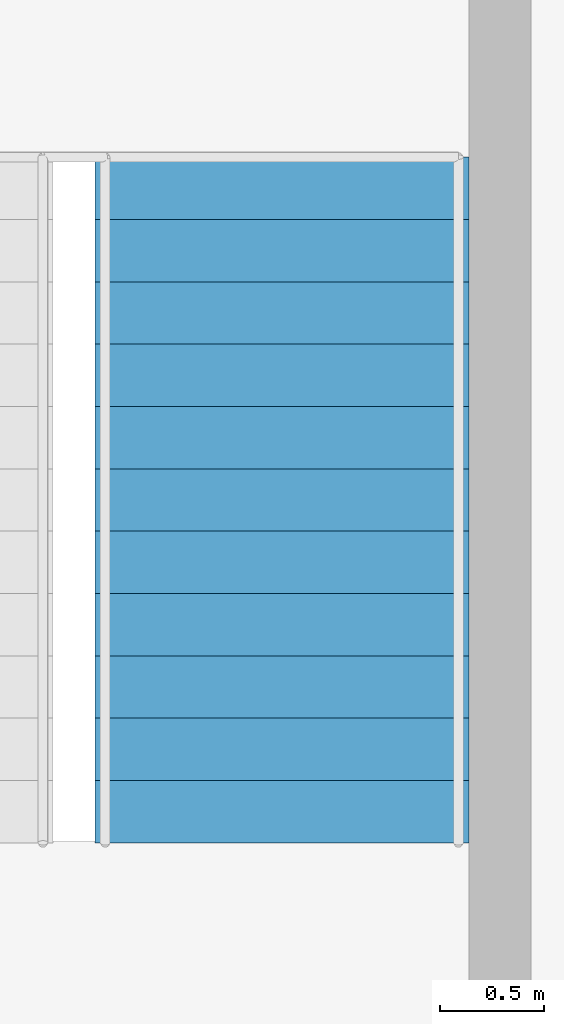
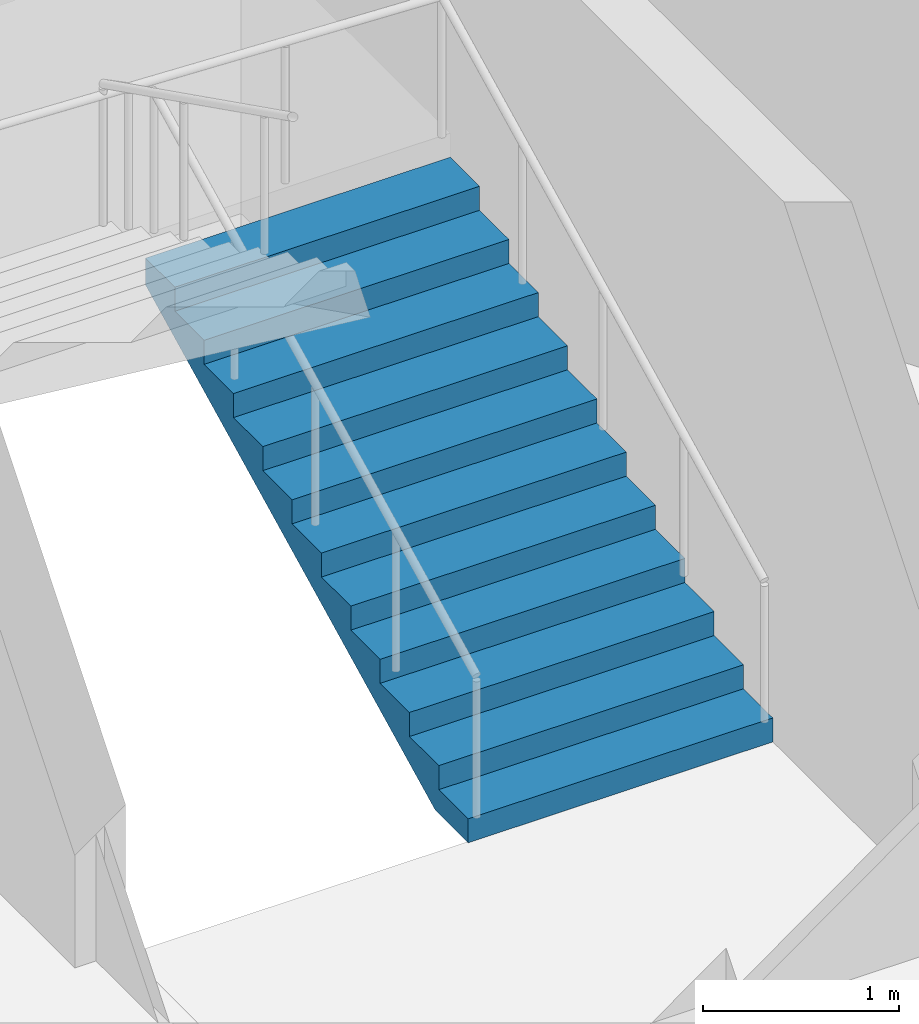
# One storey, part 14 of 20: 1 stair flight, 1 element without a shape of its own.
"""IFC4 building model written with IfcOpenShell, lengths in metres."""

from ifc_helpers import new_model, si_unit, direction, frame, origin, place, context, subcontext, project, spatial, polyline, outline, extrude, source, transform, mapped, material, type_object, element, aggregate, save


model = new_model("IFC4")

# Units and contexts
model_context = context("Model", 3, precision=1e-05, world=origin(), true_north=direction((0.0, 1.0)))
body_context = subcontext(model_context, "Body", "Model", "MODEL_VIEW")
ifc_project = project(units=[si_unit("LENGTHUNIT", "METRE"), si_unit("AREAUNIT", "SQUARE_METRE"), si_unit("VOLUMEUNIT", "CUBIC_METRE"), si_unit("PLANEANGLEUNIT", "RADIAN"), si_unit("MASSUNIT", "GRAM", prefix="KILO")], contexts=[model_context])

# Site, building, storey
site_placement = place(None, origin())
site = spatial("IfcSite", under=ifc_project, at=site_placement, CompositionType="ELEMENT")
building_placement = place(site_placement, origin())
building = spatial("IfcBuilding", under=site, at=building_placement, Name="Triune Harvest Tower", CompositionType="ELEMENT")
storey_placement = place(building_placement, frame((0.0, 0.0, 234.10009765625)))
storey = spatial("IfcBuildingStorey", under=building, at=storey_placement, Name="L61", CompositionType="ELEMENT", Elevation=234.10009765625)

# Stair, stair flight
ifc_material_1 = material(Name="Concrete 40 MPa", Category="concrete")
stair_type = type_object("IfcStairType", Name="Exit stair 1800 half turn", PredefinedType="HALF_TURN_STAIR", material=ifc_material_1)
stair_placement = place(storey_placement, origin())
stair = element("IfcStair", 1, at=stair_placement, inside=storey, type_object=stair_type, Name="Exit stair east", PredefinedType="HALF_TURN_STAIR")
ifc_material_2 = material(Name="Concrete 40 MPa", Category="concrete")
stair_flight_type = type_object("IfcStairFlightType", Name="Stair flight 1800", PredefinedType="STRAIGHT", material=ifc_material_2)
shared_shape = source(origin(), body_context, "Body", "SweptSolid", [
    extrude(outline(polyline([(0.0, 0.0), (0.0, 0.14990234375), (0.300048828125, 0.14990234375), (0.300048828125, 0.300048828125), (0.60009765625, 0.300048828125), (0.60009765625, 0.449951171875), (0.89990234375, 0.449951171875), (0.89990234375, 0.60009765625), (1.199951171875, 0.60009765625), (1.199951171875, 0.75), (1.5, 0.75), (1.5, 0.89990234375), (1.800048828125, 0.89990234375), (1.800048828125, 1.050048828125), (2.10009765625, 1.050048828125), (2.10009765625, 1.199951171875), (2.39990234375, 1.199951171875), (2.39990234375, 1.35009765625), (2.699951171875, 1.35009765625), (2.699951171875, 1.5), (3.0, 1.5), (3.0, 1.64990234375), (3.300048828125, 1.64990234375), (3.300048828125, 1.800048828125), (3.300048828125, 1.482421875), (0.335205078125, 0.0), (0.0, 0.0)])), frame((0.0, 0.89990234375, 0.0), z_axis=(0.0, -1.0, 0.0), x_axis=(1.0, 0.0, 0.0)), (0.0, 0.0, 1.0), 1.800048828125),
])
stair_flight_placement = place(storey_placement, frame((7.89990234375, -1.7900390625, 0.0), z_axis=(0.0, 0.0, 1.0), x_axis=(0.0, 1.0, 0.0)))
stair_flight = element("IfcStairFlight", 2, at=stair_flight_placement, type_object=stair_flight_type, Name="ST-3 flight 1", NumberOfRisers=12, NumberOfTreads=11, PredefinedType="STRAIGHT", RiserHeight=0.15, TreadLength=0.3, context=body_context, shape_type="MappedRepresentation", body=[
    mapped(shared_shape, transform((0.0, 0.0, 0.0), scale=1.0)),
])
aggregate(stair, [stair_flight])

save(model, "model.ifc")
